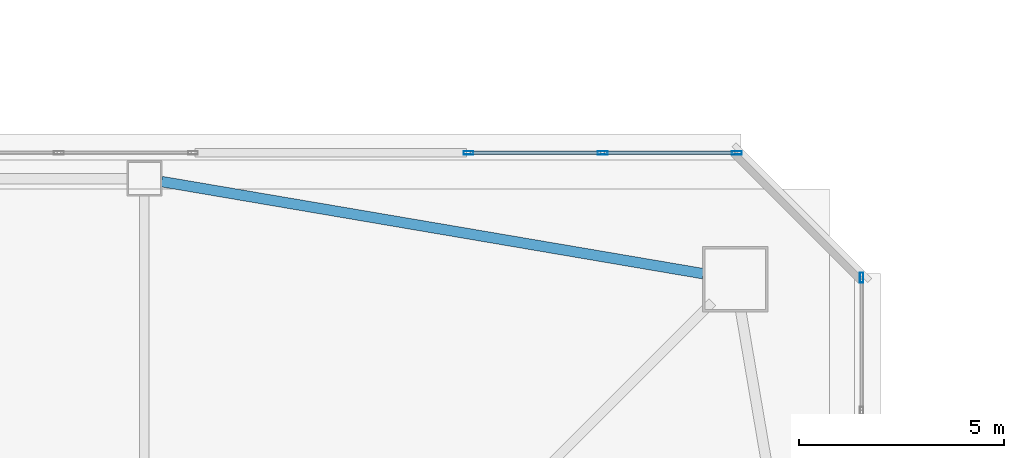
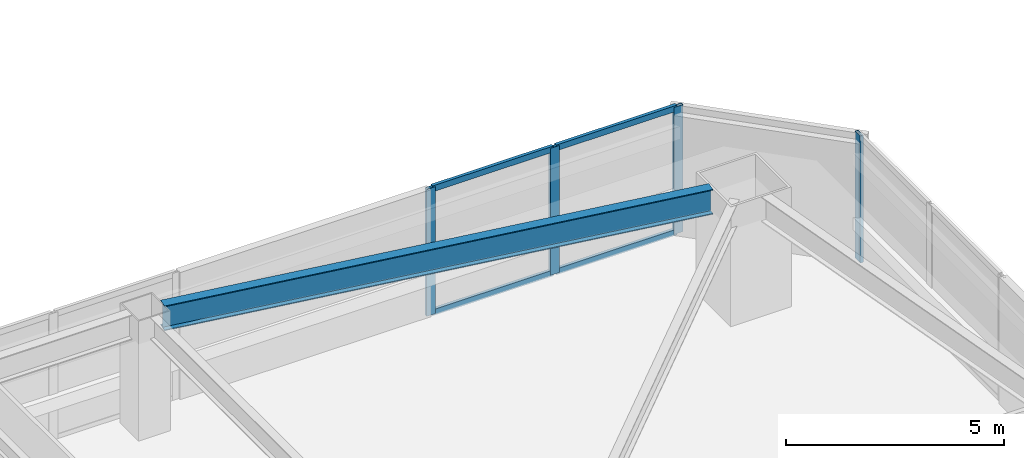
# One storey, part 17 of 47: 8 members, 1 beam, 2 elements without a shape of their own.
"""IFC4 building model written with IfcOpenShell, lengths in metres."""

from ifc_helpers import new_model, si_unit, direction, frame, origin, origin_2d, place, context, subcontext, project, spatial, hollow_rectangle, i_section, extrude, material, material_profile, profile_set, type_object, element, aggregate, save


model = new_model("IFC4")

# Units and contexts
model_context = context("Model", 3, precision=1e-05, world=origin(), true_north=direction((0.0, 1.0)))
body_context = subcontext(model_context, "Body", "Model", "MODEL_VIEW")
ifc_project = project(units=[si_unit("LENGTHUNIT", "METRE"), si_unit("AREAUNIT", "SQUARE_METRE"), si_unit("VOLUMEUNIT", "CUBIC_METRE"), si_unit("PLANEANGLEUNIT", "RADIAN"), si_unit("MASSUNIT", "GRAM", prefix="KILO")], contexts=[model_context])

# Site, building, storey
site_placement = place(None, origin())
site = spatial("IfcSite", under=ifc_project, at=site_placement, CompositionType="ELEMENT")
building_placement = place(site_placement, origin())
building = spatial("IfcBuilding", under=site, at=building_placement, Name="Tashvorn Skyway Center", CompositionType="ELEMENT")
storey_placement = place(building_placement, frame((0.0, 0.0, 42.35009765625)))
storey = spatial("IfcBuildingStorey", under=building, at=storey_placement, Name="L10", CompositionType="ELEMENT", Elevation=42.35009765625)

# Beam
ifc_material_1 = material(Name="Steel ASTM A992 Grade 50", Category="steel")
ifc_material_profile_1 = material_profile(ifc_material_1, i_section(OverallWidth=0.256103515625, OverallDepth=0.693115234375, WebThickness=0.014404296875, FlangeThickness=0.023681640625, at=origin_2d()), Name="W27X114")
ifc_profile_set_1 = profile_set([ifc_material_profile_1], Name="Steel ASTM A992 Grade 50")
beam_type = type_object("IfcBeamType", Name="BM-SPANDREL-W27X114", PredefinedType="SPANDREL", material=ifc_profile_set_1)
beam_placement = place(storey_placement, frame((61.016357421875, 51.933349609375, 3.00341796875), z_axis=(-0.985835025551, 0.16771792509, 0.0), x_axis=(-0.16771792509, -0.985835025551, 0.0)))
element("IfcBeam", 1, at=beam_placement, inside=storey, type_object=beam_type, Name="Tower 1 L10 Spandrel Beam 07", PredefinedType="SPANDREL", context=body_context, shape_type="SweptSolid", body=[
    extrude(i_section(OverallWidth=0.256103515625, OverallDepth=0.693115234375, WebThickness=0.014404296875, FlangeThickness=0.023681640625, at=origin_2d()), origin(), (0.0, 0.0, 1.0), 13.39208984375),
])

# Curtain wall, members
ifc_material_2 = material(Name="Thermally broken bronze-anodized aluminium 6063-T6", Category="aluminium")
curtain_wall_type = type_object("IfcCurtainWallType", Name="CW-CW-Z1", PredefinedType="NOTDEFINED", material=ifc_material_2)
curtain_wall_1_placement = place(storey_placement, origin())
curtain_wall_1 = element("IfcCurtainWall", 2, at=curtain_wall_1_placement, inside=storey, type_object=curtain_wall_type, Name="Tower 1 L10 North Unitised Curtain Wall Glazing Group 3", PredefinedType="NOTDEFINED")
ifc_material_profile_2 = material_profile(ifc_material_2, hollow_rectangle(XDim=0.0849609375, YDim=0.239990234375, WallThickness=0.0048828125, at=origin_2d()), Name="ALU-MULL-85x240")
ifc_profile_set_2 = profile_set([ifc_material_profile_2], Name="Thermally broken bronze-anodized aluminium 6063-T6")
member_type_1 = type_object("IfcMemberType", Name="CWM-CW-Z1", PredefinedType="MULLION", material=ifc_profile_set_2)
member_1_placement = place(storey_placement, frame((55.2958984375, 54.8798828125, 0.0), z_axis=(0.0, 0.0, 1.0), x_axis=(0.0, 1.0, 0.0)))
member_1 = element("IfcMember", 3, at=member_1_placement, type_object=member_type_1, Name="CW-Z1 mullion 1", PredefinedType="MULLION", context=body_context, shape_type="SweptSolid", body=[
    extrude(hollow_rectangle(XDim=0.0849609375, YDim=0.239990234375, WallThickness=0.0048828125, at=origin_2d()), origin(), (0.0, 0.0, 1.0), 3.5498046875),
])
member_2_placement = place(storey_placement, frame((58.566650390625, 54.8798828125, 0.0), z_axis=(0.0, 0.0, 1.0), x_axis=(0.0, 1.0, 0.0)))
member_2 = element("IfcMember", 4, at=member_2_placement, type_object=member_type_1, Name="CW-Z1 mullion 2", PredefinedType="MULLION", context=body_context, shape_type="SweptSolid", body=[
    extrude(hollow_rectangle(XDim=0.0849609375, YDim=0.239990234375, WallThickness=0.0048828125, at=origin_2d()), origin(), (0.0, 0.0, 1.0), 3.5498046875),
])
member_3_placement = place(storey_placement, frame((61.83740234375, 54.8798828125, 0.0), z_axis=(0.0, 0.0, 1.0), x_axis=(0.0, 1.0, 0.0)))
member_3 = element("IfcMember", 5, at=member_3_placement, type_object=member_type_1, Name="CW-Z1 mullion 3", PredefinedType="MULLION", context=body_context, shape_type="SweptSolid", body=[
    extrude(hollow_rectangle(XDim=0.0849609375, YDim=0.239990234375, WallThickness=0.0048828125, at=origin_2d()), origin(), (0.0, 0.0, 1.0), 3.5498046875),
])

# Curtain wall, member
curtain_wall_2_placement = place(storey_placement, origin())
curtain_wall_2 = element("IfcCurtainWall", 6, at=curtain_wall_2_placement, inside=storey, type_object=curtain_wall_type, Name="Tower 1 L10 East Unitised Curtain Wall Glazing Group 1", PredefinedType="NOTDEFINED")
member_4_placement = place(storey_placement, frame((64.8798828125, 51.83740234375, 0.0), z_axis=(0.0, 0.0, 1.0), x_axis=(1.0, 0.0, 0.0)))
member_4 = element("IfcMember", 7, at=member_4_placement, type_object=member_type_1, Name="CW-Z1 mullion 1", PredefinedType="MULLION", context=body_context, shape_type="SweptSolid", body=[
    extrude(hollow_rectangle(XDim=0.0849609375, YDim=0.239990234375, WallThickness=0.0048828125, at=origin_2d()), origin(), (0.0, 0.0, 1.0), 3.5498046875),
])
aggregate(curtain_wall_2, [member_4])

# Member
ifc_material_profile_3 = material_profile(ifc_material_2, hollow_rectangle(XDim=0.0849609375, YDim=0.1650390625, WallThickness=0.0048828125, at=origin_2d()), Name="ALU-TRAN-85x165")
ifc_profile_set_3 = profile_set([ifc_material_profile_3], Name="Thermally broken bronze-anodized aluminium 6063-T6")
member_type_2 = type_object("IfcMemberType", Name="CWT-CW-Z1", PredefinedType="USERDEFINED", material=ifc_profile_set_3)
member_5_placement = place(storey_placement, frame((55.33837890625, 54.8798828125, 0.04248046875), z_axis=(1.0, 0.0, 0.0), x_axis=(0.0, 1.0, 0.0)))
member_5 = element("IfcMember", 8, at=member_5_placement, type_object=member_type_2, Name="CW-Z1 transom 1.1", ObjectType="TRANSOM", PredefinedType="USERDEFINED", context=body_context, shape_type="SweptSolid", body=[
    extrude(hollow_rectangle(XDim=0.0849609375, YDim=0.1650390625, WallThickness=0.0048828125, at=origin_2d()), origin(), (0.0, 0.0, 1.0), 3.185791015625),
])

member_6_placement = place(storey_placement, frame((55.33837890625, 54.8798828125, 3.50732421875), z_axis=(1.0, 0.0, 0.0), x_axis=(0.0, 1.0, 0.0)))
member_6 = element("IfcMember", 9, at=member_6_placement, type_object=member_type_2, Name="CW-Z1 transom 1.2", ObjectType="TRANSOM", PredefinedType="USERDEFINED", context=body_context, shape_type="SweptSolid", body=[
    extrude(hollow_rectangle(XDim=0.0849609375, YDim=0.1650390625, WallThickness=0.0048828125, at=origin_2d()), origin(), (0.0, 0.0, 1.0), 3.185791015625),
])

member_7_placement = place(storey_placement, frame((58.609130859375, 54.8798828125, 0.04248046875), z_axis=(1.0, 0.0, 0.0), x_axis=(0.0, 1.0, 0.0)))
member_7 = element("IfcMember", 10, at=member_7_placement, type_object=member_type_2, Name="CW-Z1 transom 2.1", ObjectType="TRANSOM", PredefinedType="USERDEFINED", context=body_context, shape_type="SweptSolid", body=[
    extrude(hollow_rectangle(XDim=0.0849609375, YDim=0.1650390625, WallThickness=0.0048828125, at=origin_2d()), origin(), (0.0, 0.0, 1.0), 3.185791015625),
])

member_8_placement = place(storey_placement, frame((58.609130859375, 54.8798828125, 3.50732421875), z_axis=(1.0, 0.0, 0.0), x_axis=(0.0, 1.0, 0.0)))
member_8 = element("IfcMember", 11, at=member_8_placement, type_object=member_type_2, Name="CW-Z1 transom 2.2", ObjectType="TRANSOM", PredefinedType="USERDEFINED", context=body_context, shape_type="SweptSolid", body=[
    extrude(hollow_rectangle(XDim=0.0849609375, YDim=0.1650390625, WallThickness=0.0048828125, at=origin_2d()), origin(), (0.0, 0.0, 1.0), 3.185791015625),
])

aggregate(curtain_wall_1, [member_1, member_2, member_3, member_5, member_6, member_7, member_8])

save(model, "model.ifc")
